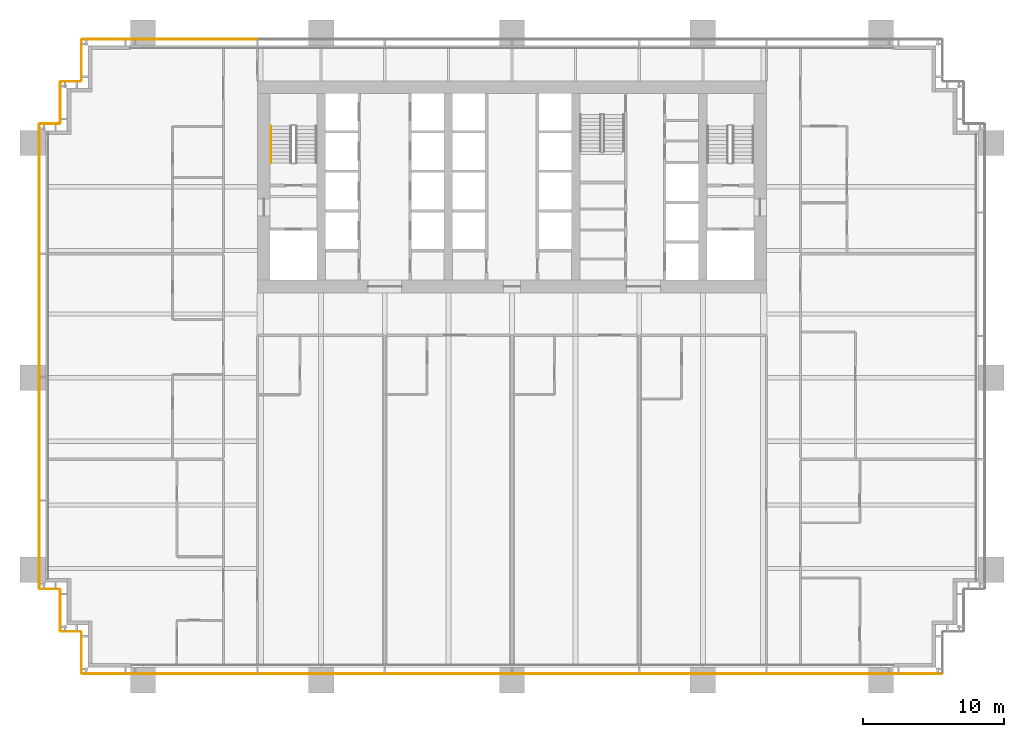
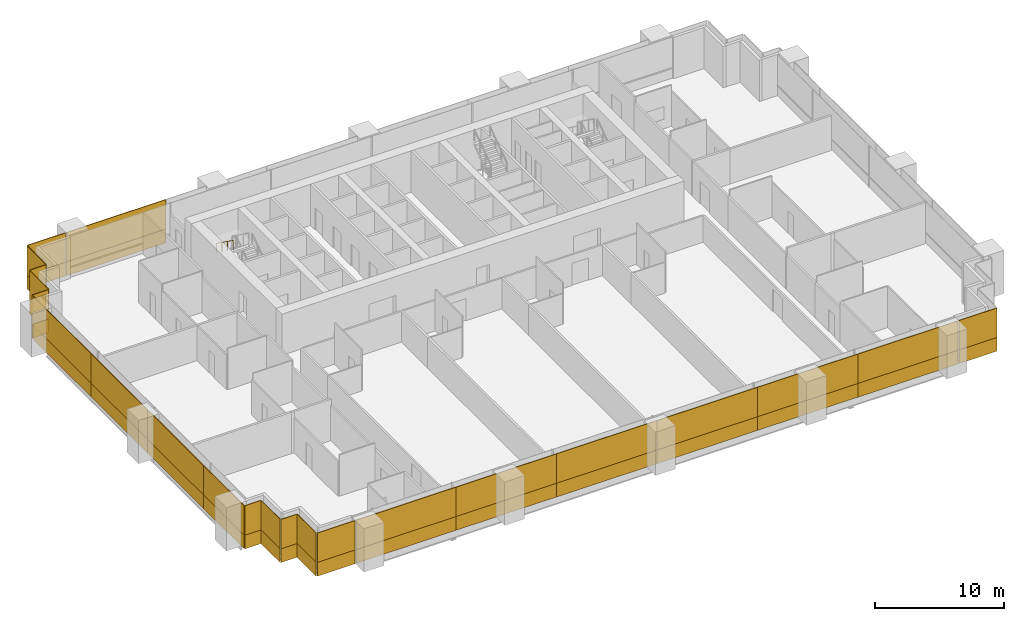
# One storey, part 17 of 19: 44 coverings, 1 railing.
"""IFC4 building model written with IfcOpenShell, lengths in metres."""

from ifc_helpers import new_model, si_unit, direction, frame, origin, origin_2d, place, context, subcontext, project, spatial, rectangle, extrude, material, layer, layer_set, type_object, element, save


model = new_model("IFC4")

# Units and contexts
model_context = context("Model", 3, precision=1e-05, world=origin(), true_north=direction((0.0, 1.0)))
body_context = subcontext(model_context, "Body", "Model", "MODEL_VIEW")
ifc_project = project(units=[si_unit("LENGTHUNIT", "METRE"), si_unit("AREAUNIT", "SQUARE_METRE"), si_unit("VOLUMEUNIT", "CUBIC_METRE"), si_unit("PLANEANGLEUNIT", "RADIAN"), si_unit("MASSUNIT", "GRAM", prefix="KILO")], contexts=[model_context])

# Site, building, storey
site_placement = place(None, origin())
site = spatial("IfcSite", under=ifc_project, at=site_placement, CompositionType="ELEMENT")
building_placement = place(site_placement, origin())
building = spatial("IfcBuilding", under=site, at=building_placement, Name="Rattan Terrace Tower", CompositionType="ELEMENT")
storey_placement = place(building_placement, frame((0.0, 0.0, 65.199951171875)))
storey = spatial("IfcBuildingStorey", under=building, at=storey_placement, Name="L14", CompositionType="ELEMENT", Elevation=65.199951171875)

# Railing
ifc_material_1 = material(Name="Powder-coated steel handrail", Category="steel")
railing_type = type_object("IfcRailingType", Name="Core stair handrail", PredefinedType="HANDRAIL", material=ifc_material_1)
railing_placement = place(storey_placement, frame((-17.050048828125, 4.300048828125, 2.236328125)))
element("IfcRailing", 1, at=railing_placement, inside=storey, type_object=railing_type, Name="L14 S1 stair handrail 2", PredefinedType="HANDRAIL", context=body_context, shape_type="SweptSolid", body=[
    extrude(rectangle(XDim=0.048095703125, YDim=0.048095703125, at=origin_2d()), frame((0.0, 0.0, 0.8759765625), z_axis=(0.0, -0.812762922914, 0.582594568406), x_axis=(1.0, 0.0, 0.0)), (0.0, 0.0, 1.0), 3.198974609375),
    extrude(rectangle(XDim=0.0419921875, YDim=0.0419921875, at=origin_2d()), origin(), (0.0, 0.0, 1.0), 0.851806640625),
    extrude(rectangle(XDim=0.0419921875, YDim=0.0419921875, at=origin_2d()), frame((0.0, -0.86669921875, 0.621337890625)), (0.0, 0.0, 1.0), 0.851806640625),
    extrude(rectangle(XDim=0.0419921875, YDim=0.0419921875, at=origin_2d()), frame((0.0, -1.7333984375, 1.242431640625)), (0.0, 0.0, 1.0), 0.851806640625),
    extrude(rectangle(XDim=0.0419921875, YDim=0.0419921875, at=origin_2d()), frame((0.0, -2.60009765625, 1.86376953125)), (0.0, 0.0, 1.0), 0.851806640625),
])

# Coverings
ifc_material_2 = material(Name="Solid terracotta", Category="masonry")
ifc_layer_1 = layer(ifc_material_2, 0.06005859375)
ifc_layer_set_1 = layer_set([ifc_layer_1], Name="Facade Terracotta Band Panel")
covering_type_1 = type_object("IfcCoveringType", Name="Facade Terracotta Band Panel", PredefinedType="CLADDING", material=ifc_layer_set_1)
covering_1_placement = place(storey_placement, frame((28.72509765625, -34.449951171875, -0.18994140625), z_axis=(0.0, 0.0, 1.0), x_axis=(1.0, 0.0, 0.0)))
element("IfcCovering", 2, at=covering_1_placement, inside=storey, type_object=covering_type_1, Name="OUTER SKIN panel L14-1A", PredefinedType="CLADDING", context=body_context, shape_type="SweptSolid", body=[
    extrude(rectangle(XDim=3.3701171875, YDim=0.06005859375, at=origin_2d()), origin(), (0.0, 0.0, 1.0), 1.300048828125),
])
covering_2_placement = place(storey_placement, frame((-22.485107421875, 10.449951171875, -0.18994140625), z_axis=(0.0, 0.0, 1.0), x_axis=(-1.0, 0.0, 0.0)))
element("IfcCovering", 3, at=covering_2_placement, inside=storey, type_object=covering_type_1, Name="OUTER SKIN panel L14-20A", PredefinedType="CLADDING", context=body_context, shape_type="SweptSolid", body=[
    extrude(rectangle(XDim=8.949951171875, YDim=0.06005859375, at=origin_2d()), origin(), (0.0, 0.0, 1.0), 1.300048828125),
])
covering_3_placement = place(storey_placement, frame((-28.72509765625, 10.449951171875, -0.18994140625), z_axis=(0.0, 0.0, 1.0), x_axis=(-1.0, 0.0, 0.0)))
element("IfcCovering", 4, at=covering_3_placement, inside=storey, type_object=covering_type_1, Name="OUTER SKIN panel L14-21A", PredefinedType="CLADDING", context=body_context, shape_type="SweptSolid", body=[
    extrude(rectangle(XDim=3.3701171875, YDim=0.06005859375, at=origin_2d()), origin(), (0.0, 0.0, 1.0), 1.300048828125),
])
covering_4_placement = place(storey_placement, frame((-30.449951171875, 8.949951171875, -0.18994140625), z_axis=(0.0, 0.0, 1.0), x_axis=(0.0, -1.0, 0.0)))
element("IfcCovering", 5, at=covering_4_placement, inside=storey, type_object=covering_type_1, Name="OUTER SKIN panel L14-22A", PredefinedType="CLADDING", context=body_context, shape_type="SweptSolid", body=[
    extrude(rectangle(XDim=2.919921875, YDim=0.06005859375, at=origin_2d()), origin(), (0.0, 0.0, 1.0), 1.300048828125),
])
covering_5_placement = place(storey_placement, frame((-31.199951171875, 7.449951171875, -0.18994140625), z_axis=(0.0, 0.0, 1.0), x_axis=(-1.0, 0.0, 0.0)))
element("IfcCovering", 6, at=covering_5_placement, inside=storey, type_object=covering_type_1, Name="OUTER SKIN panel L14-23A", PredefinedType="CLADDING", context=body_context, shape_type="SweptSolid", body=[
    extrude(rectangle(XDim=1.419921875, YDim=0.06005859375, at=origin_2d()), origin(), (0.0, 0.0, 1.0), 1.300048828125),
])
covering_6_placement = place(storey_placement, frame((-31.949951171875, 5.949951171875, -0.18994140625), z_axis=(0.0, 0.0, 1.0), x_axis=(0.0, -1.0, 0.0)))
element("IfcCovering", 7, at=covering_6_placement, inside=storey, type_object=covering_type_1, Name="OUTER SKIN panel L14-24A", PredefinedType="CLADDING", context=body_context, shape_type="SweptSolid", body=[
    extrude(rectangle(XDim=2.919921875, YDim=0.06005859375, at=origin_2d()), origin(), (0.0, 0.0, 1.0), 1.300048828125),
])
covering_7_placement = place(storey_placement, frame((-32.699951171875, 4.449951171875, -0.18994140625), z_axis=(0.0, 0.0, 1.0), x_axis=(-1.0, 0.0, 0.0)))
element("IfcCovering", 8, at=covering_7_placement, inside=storey, type_object=covering_type_1, Name="OUTER SKIN panel L14-25A", PredefinedType="CLADDING", context=body_context, shape_type="SweptSolid", body=[
    extrude(rectangle(XDim=1.419921875, YDim=0.06005859375, at=origin_2d()), origin(), (0.0, 0.0, 1.0), 1.300048828125),
])
covering_8_placement = place(storey_placement, frame((-33.449951171875, -0.153564453125, -0.18994140625), z_axis=(0.0, 0.0, 1.0), x_axis=(0.0, -1.0, 0.0)))
element("IfcCovering", 9, at=covering_8_placement, inside=storey, type_object=covering_type_1, Name="OUTER SKIN panel L14-26A", PredefinedType="CLADDING", context=body_context, shape_type="SweptSolid", body=[
    extrude(rectangle(XDim=9.126953125, YDim=0.06005859375, at=origin_2d()), origin(), (0.0, 0.0, 1.0), 1.300048828125),
])
for number, where, z_axis, x_axis, name in (
    (10, (-33.449951171875, -9.090576171875, -0.18994140625), (0.0, 0.0, 1.0), (0.0, -1.0, 0.0), "OUTER SKIN panel L14-27A"),
    (11, (-33.449951171875, -17.8173828125, -0.18994140625), (0.0, 0.0, 1.0), (0.0, -1.0, 0.0), "OUTER SKIN panel L14-28A"),
):
    element("IfcCovering", number, at=place(storey_placement, frame(where, z_axis=z_axis, x_axis=x_axis)), inside=storey, type_object=covering_type_1, Name=name, PredefinedType="CLADDING", context=body_context, shape_type="SweptSolid", body=[
        extrude(rectangle(XDim=8.70703125, YDim=0.06005859375, at=origin_2d()), origin(), (0.0, 0.0, 1.0), 1.300048828125),
    ])
covering_9_placement = place(storey_placement, frame((-33.449951171875, -25.300537109375, -0.18994140625), z_axis=(0.0, 0.0, 1.0), x_axis=(0.0, -1.0, 0.0)))
element("IfcCovering", 12, at=covering_9_placement, inside=storey, type_object=covering_type_1, Name="OUTER SKIN panel L14-29A", PredefinedType="CLADDING", context=body_context, shape_type="SweptSolid", body=[
    extrude(rectangle(XDim=6.218994140625, YDim=0.06005859375, at=origin_2d()), origin(), (0.0, 0.0, 1.0), 1.300048828125),
])
covering_10_placement = place(storey_placement, frame((-32.699951171875, -28.449951171875, -0.18994140625), z_axis=(0.0, 0.0, 1.0), x_axis=(1.0, 0.0, 0.0)))
element("IfcCovering", 13, at=covering_10_placement, inside=storey, type_object=covering_type_1, Name="OUTER SKIN panel L14-30A", PredefinedType="CLADDING", context=body_context, shape_type="SweptSolid", body=[
    extrude(rectangle(XDim=1.419921875, YDim=0.06005859375, at=origin_2d()), origin(), (0.0, 0.0, 1.0), 1.300048828125),
])
covering_11_placement = place(storey_placement, frame((-31.949951171875, -29.949951171875, -0.18994140625), z_axis=(0.0, 0.0, 1.0), x_axis=(0.0, -1.0, 0.0)))
element("IfcCovering", 14, at=covering_11_placement, inside=storey, type_object=covering_type_1, Name="OUTER SKIN panel L14-31A", PredefinedType="CLADDING", context=body_context, shape_type="SweptSolid", body=[
    extrude(rectangle(XDim=2.919921875, YDim=0.06005859375, at=origin_2d()), origin(), (0.0, 0.0, 1.0), 1.300048828125),
])
covering_12_placement = place(storey_placement, frame((-31.199951171875, -31.449951171875, -0.18994140625), z_axis=(0.0, 0.0, 1.0), x_axis=(1.0, 0.0, 0.0)))
element("IfcCovering", 15, at=covering_12_placement, inside=storey, type_object=covering_type_1, Name="OUTER SKIN panel L14-32A", PredefinedType="CLADDING", context=body_context, shape_type="SweptSolid", body=[
    extrude(rectangle(XDim=1.419921875, YDim=0.06005859375, at=origin_2d()), origin(), (0.0, 0.0, 1.0), 1.300048828125),
])
covering_13_placement = place(storey_placement, frame((-30.449951171875, -32.949951171875, -0.18994140625), z_axis=(0.0, 0.0, 1.0), x_axis=(0.0, -1.0, 0.0)))
element("IfcCovering", 16, at=covering_13_placement, inside=storey, type_object=covering_type_1, Name="OUTER SKIN panel L14-33A", PredefinedType="CLADDING", context=body_context, shape_type="SweptSolid", body=[
    extrude(rectangle(XDim=2.919921875, YDim=0.06005859375, at=origin_2d()), origin(), (0.0, 0.0, 1.0), 1.300048828125),
])
covering_14_placement = place(storey_placement, frame((-28.72509765625, -34.449951171875, -0.18994140625), z_axis=(0.0, 0.0, 1.0), x_axis=(1.0, 0.0, 0.0)))
element("IfcCovering", 17, at=covering_14_placement, inside=storey, type_object=covering_type_1, Name="OUTER SKIN panel L14-34A", PredefinedType="CLADDING", context=body_context, shape_type="SweptSolid", body=[
    extrude(rectangle(XDim=3.3701171875, YDim=0.06005859375, at=origin_2d()), origin(), (0.0, 0.0, 1.0), 1.300048828125),
])
covering_15_placement = place(storey_placement, frame((-22.485107421875, -34.449951171875, -0.18994140625), z_axis=(0.0, 0.0, 1.0), x_axis=(1.0, 0.0, 0.0)))
element("IfcCovering", 18, at=covering_15_placement, inside=storey, type_object=covering_type_1, Name="OUTER SKIN panel L14-35A", PredefinedType="CLADDING", context=body_context, shape_type="SweptSolid", body=[
    extrude(rectangle(XDim=8.949951171875, YDim=0.06005859375, at=origin_2d()), origin(), (0.0, 0.0, 1.0), 1.300048828125),
])
for number, where, z_axis, x_axis, name in (
    (19, (-13.5, -34.449951171875, -0.18994140625), (0.0, 0.0, 1.0), (1.0, 0.0, 0.0), "OUTER SKIN panel L14-36A"),
    (20, (-4.5, -34.449951171875, -0.18994140625), (0.0, 0.0, 1.0), (1.0, 0.0, 0.0), "OUTER SKIN panel L14-37A"),
    (21, (4.5, -34.449951171875, -0.18994140625), (0.0, 0.0, 1.0), (1.0, 0.0, 0.0), "OUTER SKIN panel L14-38A"),
    (22, (13.5, -34.449951171875, -0.18994140625), (0.0, 0.0, 1.0), (1.0, 0.0, 0.0), "OUTER SKIN panel L14-39A"),
):
    element("IfcCovering", number, at=place(storey_placement, frame(where, z_axis=z_axis, x_axis=x_axis)), inside=storey, type_object=covering_type_1, Name=name, PredefinedType="CLADDING", context=body_context, shape_type="SweptSolid", body=[
        extrude(rectangle(XDim=8.97998046875, YDim=0.06005859375, at=origin_2d()), origin(), (0.0, 0.0, 1.0), 1.300048828125),
    ])
covering_16_placement = place(storey_placement, frame((22.485107421875, -34.449951171875, -0.18994140625), z_axis=(0.0, 0.0, 1.0), x_axis=(1.0, 0.0, 0.0)))
element("IfcCovering", 23, at=covering_16_placement, inside=storey, type_object=covering_type_1, Name="OUTER SKIN panel L14-40A", PredefinedType="CLADDING", context=body_context, shape_type="SweptSolid", body=[
    extrude(rectangle(XDim=8.949951171875, YDim=0.06005859375, at=origin_2d()), origin(), (0.0, 0.0, 1.0), 1.300048828125),
])
ifc_material_3 = material(Name="Perforated terracotta", Category="masonry")
ifc_layer_2 = layer(ifc_material_3, 0.06005859375)
ifc_layer_set_2 = layer_set([ifc_layer_2], Name="Facade Terracotta Screen Panel")
covering_type_2 = type_object("IfcCoveringType", Name="Facade Terracotta Screen Panel", PredefinedType="CLADDING", material=ifc_layer_set_2)
covering_17_placement = place(storey_placement, frame((28.72509765625, -34.449951171875, 1.10986328125), z_axis=(0.0, 0.0, 1.0), x_axis=(1.0, 0.0, 0.0)))
element("IfcCovering", 24, at=covering_17_placement, inside=storey, type_object=covering_type_2, Name="OUTER SKIN panel L14-1B", PredefinedType="CLADDING", context=body_context, shape_type="SweptSolid", body=[
    extrude(rectangle(XDim=3.3701171875, YDim=0.06005859375, at=origin_2d()), origin(), (0.0, 0.0, 1.0), 2.780029296875),
])
covering_18_placement = place(storey_placement, frame((-22.485107421875, 10.449951171875, 1.10986328125), z_axis=(0.0, 0.0, 1.0), x_axis=(-1.0, 0.0, 0.0)))
element("IfcCovering", 25, at=covering_18_placement, inside=storey, type_object=covering_type_2, Name="OUTER SKIN panel L14-20B", PredefinedType="CLADDING", context=body_context, shape_type="SweptSolid", body=[
    extrude(rectangle(XDim=8.949951171875, YDim=0.06005859375, at=origin_2d()), origin(), (0.0, 0.0, 1.0), 2.780029296875),
])
covering_19_placement = place(storey_placement, frame((-28.72509765625, 10.449951171875, 1.10986328125), z_axis=(0.0, 0.0, 1.0), x_axis=(-1.0, 0.0, 0.0)))
element("IfcCovering", 26, at=covering_19_placement, inside=storey, type_object=covering_type_2, Name="OUTER SKIN panel L14-21B", PredefinedType="CLADDING", context=body_context, shape_type="SweptSolid", body=[
    extrude(rectangle(XDim=3.3701171875, YDim=0.06005859375, at=origin_2d()), origin(), (0.0, 0.0, 1.0), 2.780029296875),
])
covering_20_placement = place(storey_placement, frame((-30.449951171875, 8.949951171875, 1.10986328125), z_axis=(0.0, 0.0, 1.0), x_axis=(0.0, -1.0, 0.0)))
element("IfcCovering", 27, at=covering_20_placement, inside=storey, type_object=covering_type_2, Name="OUTER SKIN panel L14-22B", PredefinedType="CLADDING", context=body_context, shape_type="SweptSolid", body=[
    extrude(rectangle(XDim=2.919921875, YDim=0.06005859375, at=origin_2d()), origin(), (0.0, 0.0, 1.0), 2.780029296875),
])
covering_21_placement = place(storey_placement, frame((-31.199951171875, 7.449951171875, 1.10986328125), z_axis=(0.0, 0.0, 1.0), x_axis=(-1.0, 0.0, 0.0)))
element("IfcCovering", 28, at=covering_21_placement, inside=storey, type_object=covering_type_2, Name="OUTER SKIN panel L14-23B", PredefinedType="CLADDING", context=body_context, shape_type="SweptSolid", body=[
    extrude(rectangle(XDim=1.419921875, YDim=0.06005859375, at=origin_2d()), origin(), (0.0, 0.0, 1.0), 2.780029296875),
])
covering_22_placement = place(storey_placement, frame((-31.949951171875, 5.949951171875, 1.10986328125), z_axis=(0.0, 0.0, 1.0), x_axis=(0.0, -1.0, 0.0)))
element("IfcCovering", 29, at=covering_22_placement, inside=storey, type_object=covering_type_2, Name="OUTER SKIN panel L14-24B", PredefinedType="CLADDING", context=body_context, shape_type="SweptSolid", body=[
    extrude(rectangle(XDim=2.919921875, YDim=0.06005859375, at=origin_2d()), origin(), (0.0, 0.0, 1.0), 2.780029296875),
])
covering_23_placement = place(storey_placement, frame((-32.699951171875, 4.449951171875, 1.10986328125), z_axis=(0.0, 0.0, 1.0), x_axis=(-1.0, 0.0, 0.0)))
element("IfcCovering", 30, at=covering_23_placement, inside=storey, type_object=covering_type_2, Name="OUTER SKIN panel L14-25B", PredefinedType="CLADDING", context=body_context, shape_type="SweptSolid", body=[
    extrude(rectangle(XDim=1.419921875, YDim=0.06005859375, at=origin_2d()), origin(), (0.0, 0.0, 1.0), 2.780029296875),
])
covering_24_placement = place(storey_placement, frame((-33.449951171875, -0.153564453125, 1.10986328125), z_axis=(0.0, 0.0, 1.0), x_axis=(0.0, -1.0, 0.0)))
element("IfcCovering", 31, at=covering_24_placement, inside=storey, type_object=covering_type_2, Name="OUTER SKIN panel L14-26B", PredefinedType="CLADDING", context=body_context, shape_type="SweptSolid", body=[
    extrude(rectangle(XDim=9.126953125, YDim=0.06005859375, at=origin_2d()), origin(), (0.0, 0.0, 1.0), 2.780029296875),
])
for number, where, z_axis, x_axis, name in (
    (32, (-33.449951171875, -9.090576171875, 1.10986328125), (0.0, 0.0, 1.0), (0.0, -1.0, 0.0), "OUTER SKIN panel L14-27B"),
    (33, (-33.449951171875, -17.8173828125, 1.10986328125), (0.0, 0.0, 1.0), (0.0, -1.0, 0.0), "OUTER SKIN panel L14-28B"),
):
    element("IfcCovering", number, at=place(storey_placement, frame(where, z_axis=z_axis, x_axis=x_axis)), inside=storey, type_object=covering_type_2, Name=name, PredefinedType="CLADDING", context=body_context, shape_type="SweptSolid", body=[
        extrude(rectangle(XDim=8.70703125, YDim=0.06005859375, at=origin_2d()), origin(), (0.0, 0.0, 1.0), 2.780029296875),
    ])
covering_25_placement = place(storey_placement, frame((-33.449951171875, -25.300537109375, 1.10986328125), z_axis=(0.0, 0.0, 1.0), x_axis=(0.0, -1.0, 0.0)))
element("IfcCovering", 34, at=covering_25_placement, inside=storey, type_object=covering_type_2, Name="OUTER SKIN panel L14-29B", PredefinedType="CLADDING", context=body_context, shape_type="SweptSolid", body=[
    extrude(rectangle(XDim=6.218994140625, YDim=0.06005859375, at=origin_2d()), origin(), (0.0, 0.0, 1.0), 2.780029296875),
])
covering_26_placement = place(storey_placement, frame((-32.699951171875, -28.449951171875, 1.10986328125), z_axis=(0.0, 0.0, 1.0), x_axis=(1.0, 0.0, 0.0)))
element("IfcCovering", 35, at=covering_26_placement, inside=storey, type_object=covering_type_2, Name="OUTER SKIN panel L14-30B", PredefinedType="CLADDING", context=body_context, shape_type="SweptSolid", body=[
    extrude(rectangle(XDim=1.419921875, YDim=0.06005859375, at=origin_2d()), origin(), (0.0, 0.0, 1.0), 2.780029296875),
])
covering_27_placement = place(storey_placement, frame((-31.949951171875, -29.949951171875, 1.10986328125), z_axis=(0.0, 0.0, 1.0), x_axis=(0.0, -1.0, 0.0)))
element("IfcCovering", 36, at=covering_27_placement, inside=storey, type_object=covering_type_2, Name="OUTER SKIN panel L14-31B", PredefinedType="CLADDING", context=body_context, shape_type="SweptSolid", body=[
    extrude(rectangle(XDim=2.919921875, YDim=0.06005859375, at=origin_2d()), origin(), (0.0, 0.0, 1.0), 2.780029296875),
])
covering_28_placement = place(storey_placement, frame((-31.199951171875, -31.449951171875, 1.10986328125), z_axis=(0.0, 0.0, 1.0), x_axis=(1.0, 0.0, 0.0)))
element("IfcCovering", 37, at=covering_28_placement, inside=storey, type_object=covering_type_2, Name="OUTER SKIN panel L14-32B", PredefinedType="CLADDING", context=body_context, shape_type="SweptSolid", body=[
    extrude(rectangle(XDim=1.419921875, YDim=0.06005859375, at=origin_2d()), origin(), (0.0, 0.0, 1.0), 2.780029296875),
])
covering_29_placement = place(storey_placement, frame((-30.449951171875, -32.949951171875, 1.10986328125), z_axis=(0.0, 0.0, 1.0), x_axis=(0.0, -1.0, 0.0)))
element("IfcCovering", 38, at=covering_29_placement, inside=storey, type_object=covering_type_2, Name="OUTER SKIN panel L14-33B", PredefinedType="CLADDING", context=body_context, shape_type="SweptSolid", body=[
    extrude(rectangle(XDim=2.919921875, YDim=0.06005859375, at=origin_2d()), origin(), (0.0, 0.0, 1.0), 2.780029296875),
])
covering_30_placement = place(storey_placement, frame((-28.72509765625, -34.449951171875, 1.10986328125), z_axis=(0.0, 0.0, 1.0), x_axis=(1.0, 0.0, 0.0)))
element("IfcCovering", 39, at=covering_30_placement, inside=storey, type_object=covering_type_2, Name="OUTER SKIN panel L14-34B", PredefinedType="CLADDING", context=body_context, shape_type="SweptSolid", body=[
    extrude(rectangle(XDim=3.3701171875, YDim=0.06005859375, at=origin_2d()), origin(), (0.0, 0.0, 1.0), 2.780029296875),
])
covering_31_placement = place(storey_placement, frame((-22.485107421875, -34.449951171875, 1.10986328125), z_axis=(0.0, 0.0, 1.0), x_axis=(1.0, 0.0, 0.0)))
element("IfcCovering", 40, at=covering_31_placement, inside=storey, type_object=covering_type_2, Name="OUTER SKIN panel L14-35B", PredefinedType="CLADDING", context=body_context, shape_type="SweptSolid", body=[
    extrude(rectangle(XDim=8.949951171875, YDim=0.06005859375, at=origin_2d()), origin(), (0.0, 0.0, 1.0), 2.780029296875),
])
for number, where, z_axis, x_axis, name in (
    (41, (-13.5, -34.449951171875, 1.10986328125), (0.0, 0.0, 1.0), (1.0, 0.0, 0.0), "OUTER SKIN panel L14-36B"),
    (42, (-4.5, -34.449951171875, 1.10986328125), (0.0, 0.0, 1.0), (1.0, 0.0, 0.0), "OUTER SKIN panel L14-37B"),
    (43, (4.5, -34.449951171875, 1.10986328125), (0.0, 0.0, 1.0), (1.0, 0.0, 0.0), "OUTER SKIN panel L14-38B"),
    (44, (13.5, -34.449951171875, 1.10986328125), (0.0, 0.0, 1.0), (1.0, 0.0, 0.0), "OUTER SKIN panel L14-39B"),
):
    element("IfcCovering", number, at=place(storey_placement, frame(where, z_axis=z_axis, x_axis=x_axis)), inside=storey, type_object=covering_type_2, Name=name, PredefinedType="CLADDING", context=body_context, shape_type="SweptSolid", body=[
        extrude(rectangle(XDim=8.97998046875, YDim=0.06005859375, at=origin_2d()), origin(), (0.0, 0.0, 1.0), 2.780029296875),
    ])
covering_32_placement = place(storey_placement, frame((22.485107421875, -34.449951171875, 1.10986328125), z_axis=(0.0, 0.0, 1.0), x_axis=(1.0, 0.0, 0.0)))
element("IfcCovering", 45, at=covering_32_placement, inside=storey, type_object=covering_type_2, Name="OUTER SKIN panel L14-40B", PredefinedType="CLADDING", context=body_context, shape_type="SweptSolid", body=[
    extrude(rectangle(XDim=8.949951171875, YDim=0.06005859375, at=origin_2d()), origin(), (0.0, 0.0, 1.0), 2.780029296875),
])

save(model, "model.ifc")
